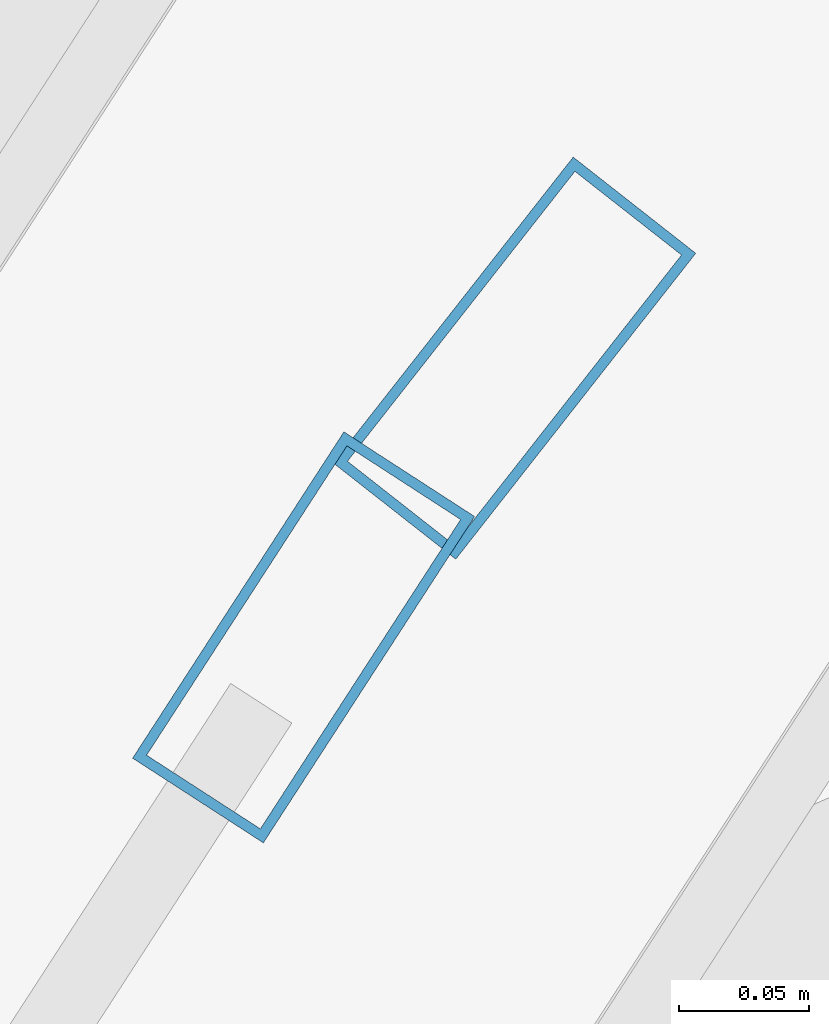
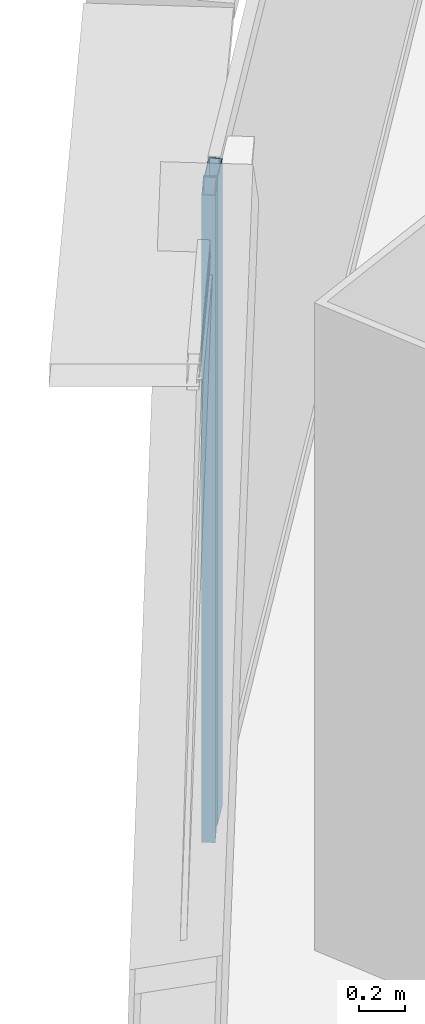
# One storey, part 20 of 41: 2 members, 2 elements without a shape of their own.
"""IFC4 building model written with IfcOpenShell, lengths in metres."""

from ifc_helpers import new_model, si_unit, direction, frame, origin, origin_2d, place, context, subcontext, project, spatial, hollow_rectangle, extrude, source, transform, mapped, material, layer, layer_set, material_profile, profile_set, type_object, element, aggregate, save


model = new_model("IFC4")

# Units and contexts
model_context = context("Model", 3, precision=1e-05, world=origin(), true_north=direction((0.0, 1.0)))
body_context = subcontext(model_context, "Body", "Model", "MODEL_VIEW")
ifc_project = project(units=[si_unit("LENGTHUNIT", "METRE"), si_unit("AREAUNIT", "SQUARE_METRE"), si_unit("VOLUMEUNIT", "CUBIC_METRE"), si_unit("PLANEANGLEUNIT", "RADIAN"), si_unit("MASSUNIT", "GRAM", prefix="KILO"), si_unit("THERMODYNAMICTEMPERATUREUNIT", "KELVIN"), si_unit("POWERUNIT", "WATT")], contexts=[model_context])

# Site, building, storey
site_placement = place(None, origin())
site = spatial("IfcSite", under=ifc_project, at=site_placement, CompositionType="ELEMENT")
building_placement = place(site_placement, origin())
building = spatial("IfcBuilding", under=site, at=building_placement, Name="Yunzhuo Pagoda Commons", CompositionType="ELEMENT")
storey_placement = place(building_placement, frame((0.0, 0.0, 155.590087890625)))
storey = spatial("IfcBuildingStorey", under=building, at=storey_placement, Name="L39", CompositionType="ELEMENT", Elevation=155.590087890625)

# Curtain wall, member
ifc_material = material(Name="Anodized aluminium 6063-T6", Category="aluminium")
ifc_layer = layer(ifc_material, 0.14990234375)
ifc_layer_set = layer_set([ifc_layer], Name="Anodized aluminium 6063-T6")
curtain_wall_type = type_object("IfcCurtainWallType", Name="CW-MID Mid-Zone Ribbon Curtain Wall", PredefinedType="NOTDEFINED", material=ifc_layer_set)
curtain_wall_1_placement = place(storey_placement, origin())
curtain_wall_1 = element("IfcCurtainWall", 1, at=curtain_wall_1_placement, inside=storey, type_object=curtain_wall_type, Name="L39 curtain wall CW-L39-F3B2", PredefinedType="NOTDEFINED")
ifc_material_profile = material_profile(ifc_material, hollow_rectangle(XDim=0.06005859375, YDim=0.14990234375, WallThickness=0.00390625, at=origin_2d()), Name="Anodized aluminium 6063-T6")
ifc_profile_set = profile_set([ifc_material_profile], Name="Anodized aluminium 6063-T6")
member_type = type_object("IfcMemberType", Name="CW-MID-M Mullion RHS 150x60x4", PredefinedType="MULLION", material=ifc_profile_set)
shared_shape = source(origin(), body_context, "Body", "SweptSolid", [
    extrude(hollow_rectangle(XDim=0.06005859375, YDim=0.14990234375, WallThickness=0.00390625, at=origin_2d()), origin(), (0.0, 0.0, 1.0), 3.419921875),
])
member_1_placement = place(storey_placement, frame((32.0166015625, 69.53759765625, 0.0), z_axis=(0.0, 0.0, 1.0), x_axis=(0.839392571637, -0.543525630197, 0.0)))
member_1 = element("IfcMember", 2, at=member_1_placement, type_object=member_type, Name="CW mullion 1", PredefinedType="MULLION", context=body_context, shape_type="MappedRepresentation", body=[
    mapped(shared_shape, transform((0.0, 0.0, 0.0), scale=1.0)),
])
aggregate(curtain_wall_1, [member_1])

curtain_wall_2_placement = place(storey_placement, origin())
curtain_wall_2 = element("IfcCurtainWall", 3, at=curtain_wall_2_placement, inside=storey, type_object=curtain_wall_type, Name="L39 curtain wall CW-L39-F3B1", PredefinedType="NOTDEFINED")
member_2_placement = place(storey_placement, frame((32.097900390625, 69.645263671875, 0.0), z_axis=(0.0, 0.0, 1.0), x_axis=(0.786759259697, -0.61725996734, 0.0)))
member_2 = element("IfcMember", 4, at=member_2_placement, type_object=member_type, Name="CW mullion 2", PredefinedType="MULLION", context=body_context, shape_type="MappedRepresentation", body=[
    mapped(shared_shape, transform((0.0, 0.0, 0.0), scale=1.0)),
])
aggregate(curtain_wall_2, [member_2])

save(model, "model.ifc")
